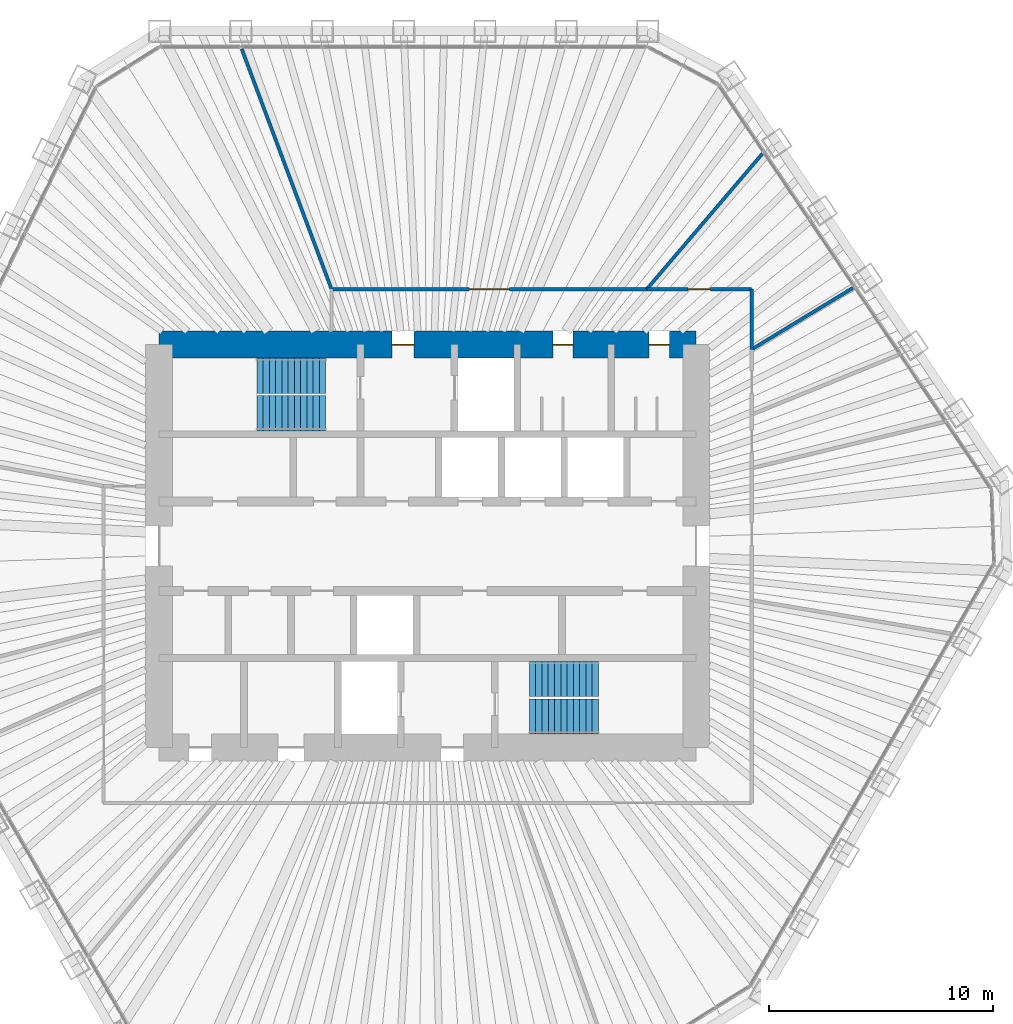
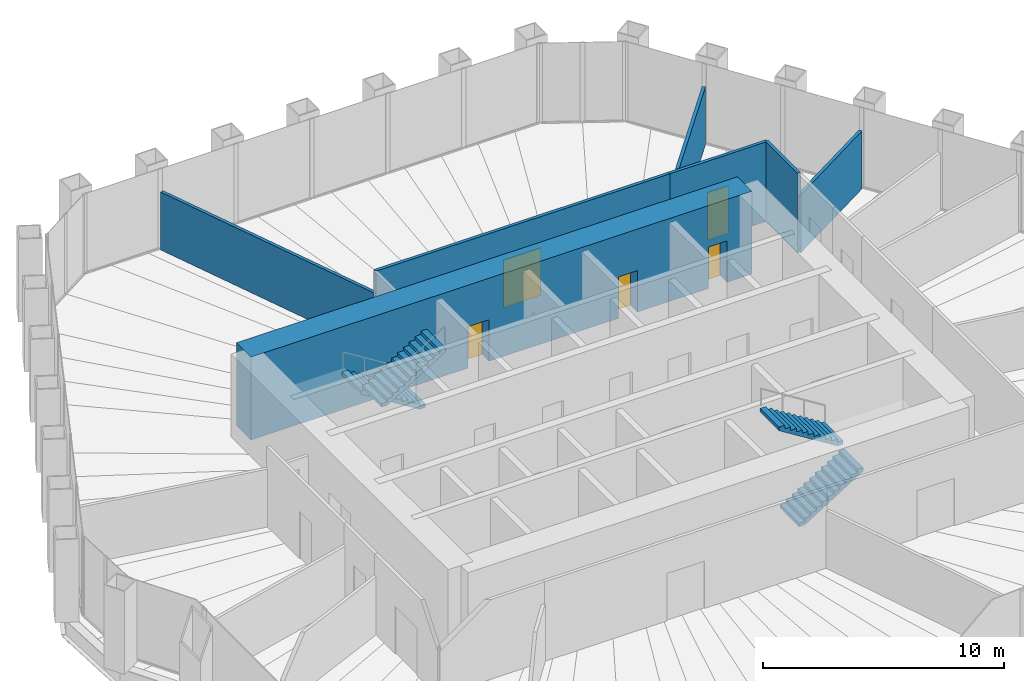
# One storey, part 12 of 13: 7 walls, 5 doors, 4 stair flights, 5 openings, 2 elements without a shape of their own.
"""IFC4 building model written with IfcOpenShell, lengths in metres."""

from ifc_helpers import new_model, si_unit, direction, frame, frame_2d, origin, place, context, subcontext, project, spatial, polyline, rectangle, outline, extrude, material, layer, layer_set, type_object, element, fill, aggregate, save


model = new_model("IFC4")

# Units and contexts
model_context = context("Model", 3, precision=1e-05, world=origin(), true_north=direction((0.0, 1.0)))
body_context = subcontext(model_context, "Body", "Model", "MODEL_VIEW")
ifc_project = project(units=[si_unit("LENGTHUNIT", "METRE"), si_unit("AREAUNIT", "SQUARE_METRE"), si_unit("VOLUMEUNIT", "CUBIC_METRE"), si_unit("PLANEANGLEUNIT", "RADIAN"), si_unit("MASSUNIT", "GRAM", prefix="KILO")], contexts=[model_context])

# Site, building, storey
site_placement = place(None, origin())
site = spatial("IfcSite", under=ifc_project, at=site_placement, CompositionType="ELEMENT")
building_placement = place(site_placement, origin())
building = spatial("IfcBuilding", under=site, at=building_placement, Name="Qingtian Harvest Tower", CompositionType="ELEMENT")
storey_placement = place(building_placement, frame((0.0, 0.0, 247.60009765625)))
storey = spatial("IfcBuildingStorey", under=building, at=storey_placement, Name="L54", CompositionType="ELEMENT", Elevation=247.60009765625)

# Wall, openings, doors
ifc_material_1 = material(Name="Concrete fc' 70 MPa", Category="concrete")
ifc_layer_1 = layer(ifc_material_1, 1.199951171875)
ifc_layer_set_1 = layer_set([ifc_layer_1], Name="Core wall RC2 1200")
wall_type_1 = type_object("IfcWallType", Name="Core wall RC2 1200", PredefinedType="SHEAR", material=ifc_layer_set_1)
wall_1_placement = place(storey_placement, frame((-12.0, 9.0, 0.0), z_axis=(0.0, 0.0, 1.0), x_axis=(1.0, 0.0, 0.0)))
wall_1 = element("IfcWall", 1, at=wall_1_placement, inside=storey, type_object=wall_type_1, Name="Core wall CN L54", PredefinedType="SHEAR", context=body_context, shape_type="SweptSolid", body=[
    extrude(rectangle(XDim=24.0, YDim=1.199951171875, at=frame_2d((12.0, 0.0))), origin(), (0.0, 0.0, 1.0), 4.199951171875),
])
opening_1_placement = place(wall_1_placement, frame((10.39990234375, 0.0, 0.0)))
opening_1 = element("IfcOpeningElement", 2, at=opening_1_placement, cuts=wall_1, Name="Opening FD1", PredefinedType="OPENING", context=body_context, shape_type="SweptSolid", body=[
    extrude(rectangle(XDim=1.0, YDim=2.10009765625, at=frame_2d((0.5, 1.050048828125))), frame((0.0, 0.60986328125, 0.0), z_axis=(0.0, -1.0, 0.0), x_axis=(1.0, 0.0, 0.0)), (0.0, 0.0, 1.0), 1.219970703125),
])
opening_2_placement = place(wall_1_placement, frame((17.60009765625, 0.0, 0.0)))
opening_2 = element("IfcOpeningElement", 3, at=opening_2_placement, cuts=wall_1, Name="Opening D1", PredefinedType="OPENING", context=body_context, shape_type="SweptSolid", body=[
    extrude(rectangle(XDim=0.89990234375, YDim=2.10009765625, at=frame_2d((0.449951171875, 1.050048828125))), frame((0.0, 0.60986328125, 0.0), z_axis=(0.0, -1.0, 0.0), x_axis=(1.0, 0.0, 0.0)), (0.0, 0.0, 1.0), 1.219970703125),
])
opening_3_placement = place(wall_1_placement, frame((21.89990234375, 0.0, 0.0)))
opening_3 = element("IfcOpeningElement", 4, at=opening_3_placement, cuts=wall_1, Name="Opening D1", PredefinedType="OPENING", context=body_context, shape_type="SweptSolid", body=[
    extrude(rectangle(XDim=0.89990234375, YDim=2.10009765625, at=frame_2d((0.449951171875, 1.050048828125))), frame((0.0, 0.60986328125, 0.0), z_axis=(0.0, -1.0, 0.0), x_axis=(1.0, 0.0, 0.0)), (0.0, 0.0, 1.0), 1.219970703125),
])
ifc_material_2 = material(Name="Steel-faced door leaf", Category="steel")
door_type_1 = type_object("IfcDoorType", Name="Fire door FD1 single 1 HR", OperationType="SINGLE_SWING_LEFT", PredefinedType="DOOR", material=ifc_material_2)
door_1_placement = place(opening_1_placement, origin())
door_1 = element("IfcDoor", 5, at=door_1_placement, inside=storey, type_object=door_type_1, Name="V1 door L54", OperationType="SINGLE_SWING_LEFT", OverallHeight=2.10009765625, OverallWidth=1.0, PredefinedType="DOOR", context=body_context, shape_type="SweptSolid", body=[
    extrude(rectangle(XDim=1.0, YDim=2.10009765625, at=frame_2d((0.5, 1.050048828125))), frame((0.0, 0.02490234375, 0.0), z_axis=(0.0, -1.0, 0.0), x_axis=(1.0, 0.0, 0.0)), (0.0, 0.0, 1.0), 0.050048828125),
])
fill(opening_1, door_1)
ifc_material_3 = material(Name="Laminated timber door leaf", Category="wood")
door_type_2 = type_object("IfcDoorType", Name="Toilet door D1 single", OperationType="SINGLE_SWING_LEFT", PredefinedType="DOOR", material=ifc_material_3)
door_2_placement = place(opening_2_placement, origin())
door_2 = element("IfcDoor", 6, at=door_2_placement, inside=storey, type_object=door_type_2, Name="WCM door L54", OperationType="SINGLE_SWING_LEFT", OverallHeight=2.10009765625, OverallWidth=0.89990234375, PredefinedType="DOOR", context=body_context, shape_type="SweptSolid", body=[
    extrude(rectangle(XDim=0.89990234375, YDim=2.10009765625, at=frame_2d((0.449951171875, 1.050048828125))), frame((0.0, 0.02490234375, 0.0), z_axis=(0.0, -1.0, 0.0), x_axis=(1.0, 0.0, 0.0)), (0.0, 0.0, 1.0), 0.050048828125),
])
fill(opening_2, door_2)
door_3_placement = place(opening_3_placement, origin())
door_3 = element("IfcDoor", 7, at=door_3_placement, inside=storey, type_object=door_type_2, Name="WCF door L54", OperationType="SINGLE_SWING_LEFT", OverallHeight=2.10009765625, OverallWidth=0.89990234375, PredefinedType="DOOR", context=body_context, shape_type="SweptSolid", body=[
    extrude(rectangle(XDim=0.89990234375, YDim=2.10009765625, at=frame_2d((0.449951171875, 1.050048828125))), frame((0.0, 0.02490234375, 0.0), z_axis=(0.0, -1.0, 0.0), x_axis=(1.0, 0.0, 0.0)), (0.0, 0.0, 1.0), 0.050048828125),
])
fill(opening_3, door_3)

# Wall
ifc_material_4 = material(Name="Gypsum board on steel studs", Category="steel")
ifc_layer_2 = layer(ifc_material_4, 0.14990234375)
ifc_layer_set_2 = layer_set([ifc_layer_2], Name="Partition PT1 150")
wall_type_2 = type_object("IfcWallType", Name="Partition PT1 150", PredefinedType="PARTITIONING", material=ifc_layer_set_2)
wall_2_placement = place(storey_placement, frame((-8.303466796875, 22.206298828125, 0.0), z_axis=(0.0, 0.0, 1.0), x_axis=(0.350242883069, -0.936658914899, 0.0)))
element("IfcWall", 8, at=wall_2_placement, inside=storey, type_object=wall_type_2, Name="Office suite wall L54", PredefinedType="PARTITIONING", context=body_context, shape_type="SweptSolid", body=[
    extrude(rectangle(XDim=11.456787109375, YDim=0.14990234375, at=frame_2d((5.728515625, 0.0))), origin(), (0.0, 0.0, 1.0), 2.929931640625),
])

# Wall, opening, door
wall_3_placement = place(storey_placement, frame((-4.290771484375, 11.47509765625, 0.0), z_axis=(0.0, 0.0, 1.0), x_axis=(1.0, 0.0, 0.0)))
wall_3 = element("IfcWall", 9, at=wall_3_placement, inside=storey, type_object=wall_type_2, Name="Office suite wall L54", PredefinedType="PARTITIONING", context=body_context, shape_type="SweptSolid", body=[
    extrude(rectangle(XDim=14.081787109375, YDim=0.14990234375, at=frame_2d((7.041015625, 0.0))), origin(), (0.0, 0.0, 1.0), 4.02978515625),
])
opening_4_placement = place(wall_3_placement, frame((6.140869140625, 0.0, 0.0)))
opening_4 = element("IfcOpeningElement", 10, at=opening_4_placement, cuts=wall_3, Name="Opening D3", PredefinedType="OPENING", context=body_context, shape_type="SweptSolid", body=[
    extrude(rectangle(XDim=1.800048828125, YDim=2.39990234375, at=frame_2d((0.89990234375, 1.199951171875))), frame((0.0, 0.0849609375, 0.0), z_axis=(0.0, -1.0, 0.0), x_axis=(1.0, 0.0, 0.0)), (0.0, 0.0, 1.0), 0.169921875),
])
ifc_material_5 = material(Name="Laminated timber door leaf", Category="wood")
door_type_3 = type_object("IfcDoorType", Name="Room door D3 double", OperationType="DOUBLE_DOOR_DOUBLE_SWING", PredefinedType="DOOR", material=ifc_material_5)
door_4_placement = place(opening_4_placement, origin())
door_4 = element("IfcDoor", 11, at=door_4_placement, inside=storey, type_object=door_type_3, Name="Office suite door L54", OperationType="DOUBLE_DOOR_DOUBLE_SWING", OverallHeight=2.39990234375, OverallWidth=1.800048828125, PredefinedType="DOOR", context=body_context, shape_type="SweptSolid", body=[
    extrude(rectangle(XDim=1.800048828125, YDim=2.39990234375, at=frame_2d((0.89990234375, 1.199951171875))), frame((0.0, 0.02490234375, 0.0), z_axis=(0.0, -1.0, 0.0), x_axis=(1.0, 0.0, 0.0)), (0.0, 0.0, 1.0), 0.050048828125),
])
fill(opening_4, door_4)

# Wall
wall_4_placement = place(storey_placement, frame((14.9580078125, 17.530517578125, 0.0), z_axis=(0.0, 0.0, 1.0), x_axis=(-0.649097500837, -0.760705221756, 0.0)))
element("IfcWall", 12, at=wall_4_placement, inside=storey, type_object=wall_type_2, Name="Pantry wall L54", PredefinedType="PARTITIONING", context=body_context, shape_type="SweptSolid", body=[
    extrude(rectangle(XDim=7.960205078125, YDim=0.14990234375, at=frame_2d((3.97998046875, 0.0))), origin(), (0.0, 0.0, 1.0), 2.929931640625),
])

# Wall, opening, door
wall_5_placement = place(storey_placement, frame((9.791015625, 11.47509765625, 0.0), z_axis=(0.0, 0.0, 1.0), x_axis=(1.0, 0.0, 0.0)))
wall_5 = element("IfcWall", 13, at=wall_5_placement, inside=storey, type_object=wall_type_2, Name="Pantry wall L54", PredefinedType="PARTITIONING", context=body_context, shape_type="SweptSolid", body=[
    extrude(rectangle(XDim=4.68408203125, YDim=0.14990234375, at=frame_2d((2.342041015625, 0.0))), origin(), (0.0, 0.0, 1.0), 4.02978515625),
])
opening_5_placement = place(wall_5_placement, frame((1.842041015625, 0.0, 0.0)))
opening_5 = element("IfcOpeningElement", 14, at=opening_5_placement, cuts=wall_5, Name="Opening D2", PredefinedType="OPENING", context=body_context, shape_type="SweptSolid", body=[
    extrude(rectangle(XDim=1.0, YDim=2.39990234375, at=frame_2d((0.5, 1.199951171875))), frame((0.0, 0.0849609375, 0.0), z_axis=(0.0, -1.0, 0.0), x_axis=(1.0, 0.0, 0.0)), (0.0, 0.0, 1.0), 0.169921875),
])
ifc_material_6 = material(Name="Laminated timber door leaf", Category="wood")
door_type_4 = type_object("IfcDoorType", Name="Room door D2 single", OperationType="SINGLE_SWING_LEFT", PredefinedType="DOOR", material=ifc_material_6)
door_5_placement = place(opening_5_placement, origin())
door_5 = element("IfcDoor", 15, at=door_5_placement, inside=storey, type_object=door_type_4, Name="Pantry door L54", OperationType="SINGLE_SWING_LEFT", OverallHeight=2.39990234375, OverallWidth=1.0, PredefinedType="DOOR", context=body_context, shape_type="SweptSolid", body=[
    extrude(rectangle(XDim=1.0, YDim=2.39990234375, at=frame_2d((0.5, 1.199951171875))), frame((0.0, 0.02490234375, 0.0), z_axis=(0.0, -1.0, 0.0), x_axis=(1.0, 0.0, 0.0)), (0.0, 0.0, 1.0), 0.050048828125),
])
fill(opening_5, door_5)

# Walls
wall_6_placement = place(storey_placement, frame((14.47509765625, 11.47509765625, 0.0), z_axis=(0.0, 0.0, 1.0), x_axis=(0.0, -1.0, 0.0)))
element("IfcWall", 16, at=wall_6_placement, inside=storey, type_object=wall_type_2, Name="Pantry wall L54", PredefinedType="PARTITIONING", context=body_context, shape_type="SweptSolid", body=[
    extrude(rectangle(XDim=2.691650390625, YDim=0.14990234375, at=frame_2d((1.345703125, 0.0))), origin(), (0.0, 0.0, 1.0), 4.02978515625),
])
wall_7_placement = place(storey_placement, frame((19.001220703125, 11.530029296875, 0.0), z_axis=(0.0, 0.0, 1.0), x_axis=(-0.854906581035, -0.518781975114, 0.0)))
element("IfcWall", 17, at=wall_7_placement, inside=storey, type_object=wall_type_2, Name="Print room wall L54", PredefinedType="PARTITIONING", context=body_context, shape_type="SweptSolid", body=[
    extrude(rectangle(XDim=5.294189453125, YDim=0.14990234375, at=frame_2d((2.64697265625, 0.0))), origin(), (0.0, 0.0, 1.0), 2.929931640625),
])

# Stair, stair flights
ifc_material_7 = material(Name="Concrete fc' 35 MPa", Category="concrete")
stair_type = type_object("IfcStairType", Name="Special stair ST4 4200", PredefinedType="HALF_TURN_STAIR", material=ifc_material_7)
stair_1_placement = place(storey_placement, origin())
stair_1 = element("IfcStair", 18, at=stair_1_placement, inside=storey, type_object=stair_type, Name="Special stair S1 L54", PredefinedType="HALF_TURN_STAIR")
ifc_material_8 = material(Name="Concrete fc' 35 MPa", Category="concrete")
stair_flight_type = type_object("IfcStairFlightType", Name="Stair flight SF4 4200", PredefinedType="STRAIGHT", material=ifc_material_8)
stair_flight_1_placement = place(storey_placement, frame((-4.550048828125, 7.612548828125, 0.0), z_axis=(0.0, 0.0, 1.0), x_axis=(-1.0, 0.0, 0.0)))
stair_flight_1 = element("IfcStairFlight", 19, at=stair_flight_1_placement, type_object=stair_flight_type, Name="S1 flight 1", NumberOfRisers=12, NumberOfTreads=11, PredefinedType="STRAIGHT", RiserHeight=0.175, TreadLength=0.28, context=body_context, shape_type="SweptSolid", body=[
    extrude(outline(polyline([(0.0, 0.0), (0.0, 0.175048828125), (0.280029296875, 0.175048828125), (0.280029296875, 0.35009765625), (0.56005859375, 0.35009765625), (0.56005859375, 0.52490234375), (0.840087890625, 0.52490234375), (0.840087890625, 0.699951171875), (1.1201171875, 0.699951171875), (1.1201171875, 0.875), (1.39990234375, 0.875), (1.39990234375, 1.050048828125), (1.679931640625, 1.050048828125), (1.679931640625, 1.22509765625), (1.9599609375, 1.22509765625), (1.9599609375, 1.39990234375), (2.239990234375, 1.39990234375), (2.239990234375, 1.574951171875), (2.52001953125, 1.574951171875), (2.52001953125, 1.75), (2.800048828125, 1.75), (2.800048828125, 1.925048828125), (3.080078125, 1.925048828125), (3.080078125, 2.10009765625), (3.080078125, 1.748291015625), (0.28271484375, 0.0), (0.0, 0.0)])), frame((0.0, 0.78759765625, 0.0), z_axis=(0.0, -1.0, 0.0), x_axis=(1.0, 0.0, 0.0)), (0.0, 0.0, 1.0), 1.574951171875),
])
stair_flight_2_placement = place(storey_placement, frame((-7.6298828125, 5.9375, 2.099853515625), z_axis=(0.0, 0.0, 1.0), x_axis=(1.0, 0.0, 0.0)))
stair_flight_2 = element("IfcStairFlight", 20, at=stair_flight_2_placement, type_object=stair_flight_type, Name="S1 flight 2", NumberOfRisers=12, NumberOfTreads=11, PredefinedType="STRAIGHT", RiserHeight=0.175, TreadLength=0.28, context=body_context, shape_type="SweptSolid", body=[
    extrude(outline(polyline([(0.0, 0.0), (0.0, 0.175048828125), (0.280029296875, 0.175048828125), (0.280029296875, 0.35009765625), (0.56005859375, 0.35009765625), (0.56005859375, 0.52490234375), (0.840087890625, 0.52490234375), (0.840087890625, 0.699951171875), (1.1201171875, 0.699951171875), (1.1201171875, 0.875), (1.39990234375, 0.875), (1.39990234375, 1.050048828125), (1.679931640625, 1.050048828125), (1.679931640625, 1.22509765625), (1.9599609375, 1.22509765625), (1.9599609375, 1.39990234375), (2.239990234375, 1.39990234375), (2.239990234375, 1.574951171875), (2.52001953125, 1.574951171875), (2.52001953125, 1.75), (2.800048828125, 1.75), (2.800048828125, 1.925048828125), (3.080078125, 1.925048828125), (3.080078125, 2.10009765625), (3.080078125, 1.748291015625), (0.28271484375, 0.0), (0.0, 0.0)])), frame((0.0, 0.78759765625, 0.0), z_axis=(0.0, -1.0, 0.0), x_axis=(1.0, 0.0, 0.0)), (0.0, 0.0, 1.0), 1.574951171875),
])
aggregate(stair_1, [stair_flight_1, stair_flight_2])

stair_2_placement = place(storey_placement, origin())
stair_2 = element("IfcStair", 21, at=stair_2_placement, inside=storey, type_object=stair_type, Name="Special stair S2 L54", PredefinedType="HALF_TURN_STAIR")
stair_flight_3_placement = place(storey_placement, frame((4.550048828125, -7.612548828125, 0.0), z_axis=(0.0, 0.0, 1.0), x_axis=(1.0, 0.0, 0.0)))
stair_flight_3 = element("IfcStairFlight", 22, at=stair_flight_3_placement, type_object=stair_flight_type, Name="S2 flight 1", NumberOfRisers=12, NumberOfTreads=11, PredefinedType="STRAIGHT", RiserHeight=0.175, TreadLength=0.28, context=body_context, shape_type="SweptSolid", body=[
    extrude(outline(polyline([(0.0, 0.0), (0.0, 0.175048828125), (0.280029296875, 0.175048828125), (0.280029296875, 0.35009765625), (0.56005859375, 0.35009765625), (0.56005859375, 0.52490234375), (0.840087890625, 0.52490234375), (0.840087890625, 0.699951171875), (1.1201171875, 0.699951171875), (1.1201171875, 0.875), (1.39990234375, 0.875), (1.39990234375, 1.050048828125), (1.679931640625, 1.050048828125), (1.679931640625, 1.22509765625), (1.9599609375, 1.22509765625), (1.9599609375, 1.39990234375), (2.239990234375, 1.39990234375), (2.239990234375, 1.574951171875), (2.52001953125, 1.574951171875), (2.52001953125, 1.75), (2.800048828125, 1.75), (2.800048828125, 1.925048828125), (3.080078125, 1.925048828125), (3.080078125, 2.10009765625), (3.080078125, 1.748291015625), (0.28271484375, 0.0), (0.0, 0.0)])), frame((0.0, 0.78759765625, 0.0), z_axis=(0.0, -1.0, 0.0), x_axis=(1.0, 0.0, 0.0)), (0.0, 0.0, 1.0), 1.574951171875),
])
stair_flight_4_placement = place(storey_placement, frame((7.6298828125, -5.9375, 2.099853515625), z_axis=(0.0, 0.0, 1.0), x_axis=(-1.0, 0.0, 0.0)))
stair_flight_4 = element("IfcStairFlight", 23, at=stair_flight_4_placement, type_object=stair_flight_type, Name="S2 flight 2", NumberOfRisers=12, NumberOfTreads=11, PredefinedType="STRAIGHT", RiserHeight=0.175, TreadLength=0.28, context=body_context, shape_type="SweptSolid", body=[
    extrude(outline(polyline([(0.0, 0.0), (0.0, 0.175048828125), (0.280029296875, 0.175048828125), (0.280029296875, 0.35009765625), (0.56005859375, 0.35009765625), (0.56005859375, 0.52490234375), (0.840087890625, 0.52490234375), (0.840087890625, 0.699951171875), (1.1201171875, 0.699951171875), (1.1201171875, 0.875), (1.39990234375, 0.875), (1.39990234375, 1.050048828125), (1.679931640625, 1.050048828125), (1.679931640625, 1.22509765625), (1.9599609375, 1.22509765625), (1.9599609375, 1.39990234375), (2.239990234375, 1.39990234375), (2.239990234375, 1.574951171875), (2.52001953125, 1.574951171875), (2.52001953125, 1.75), (2.800048828125, 1.75), (2.800048828125, 1.925048828125), (3.080078125, 1.925048828125), (3.080078125, 2.10009765625), (3.080078125, 1.748291015625), (0.28271484375, 0.0), (0.0, 0.0)])), frame((0.0, 0.78759765625, 0.0), z_axis=(0.0, -1.0, 0.0), x_axis=(1.0, 0.0, 0.0)), (0.0, 0.0, 1.0), 1.574951171875),
])
aggregate(stair_2, [stair_flight_3, stair_flight_4])

save(model, "model.ifc")
